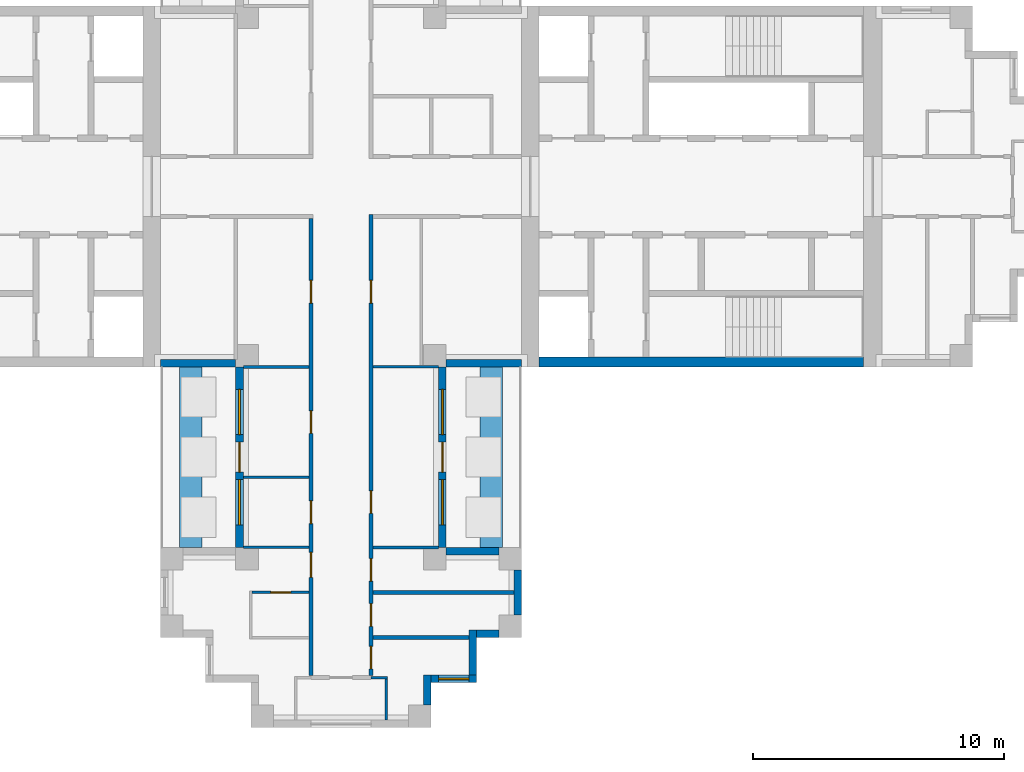
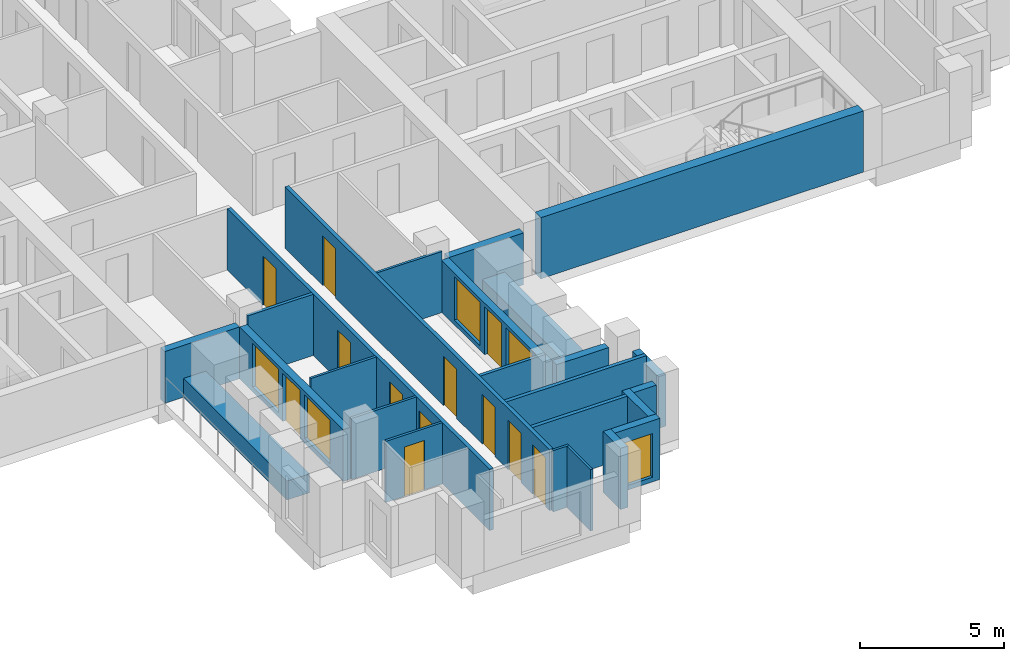
# One storey, part 4 of 10: 25 walls, 12 doors, 5 windows, 17 openings.
"""IFC4 building model written with IfcOpenShell, lengths in metres."""

from ifc_helpers import new_model, si_unit, direction, frame, frame_2d, origin, place, context, subcontext, project, spatial, rectangle, extrude, material, layer, layer_set, type_object, element, fill, save


model = new_model("IFC4")

# Units and contexts
model_context = context("Model", 3, precision=1e-05, world=origin(), true_north=direction((0.0, 1.0)))
body_context = subcontext(model_context, "Body", "Model", "MODEL_VIEW")
ifc_project = project(units=[si_unit("LENGTHUNIT", "METRE"), si_unit("AREAUNIT", "SQUARE_METRE"), si_unit("VOLUMEUNIT", "CUBIC_METRE"), si_unit("PLANEANGLEUNIT", "RADIAN"), si_unit("MASSUNIT", "GRAM", prefix="KILO")], contexts=[model_context])

# Site, building, storey
site_placement = place(None, origin())
site = spatial("IfcSite", under=ifc_project, at=site_placement, CompositionType="ELEMENT")
building_placement = place(site_placement, origin())
building = spatial("IfcBuilding", under=site, at=building_placement, Name="Fustian Cross Tower", CompositionType="ELEMENT")
storey_placement = place(building_placement, frame((0.0, 0.0, 182.699951171875)))
storey = spatial("IfcBuildingStorey", under=building, at=storey_placement, Name="L57", CompositionType="ELEMENT", Elevation=182.699951171875)

# Wall, openings, doors
ifc_material_1 = material(Name="Plasterboard on steel stud", Category="steel")
ifc_layer_1 = layer(ifc_material_1, 0.14990234375)
ifc_layer_set_1 = layer_set([ifc_layer_1], Name="Plasterboard on steel stud")
wall_type_1 = type_object("IfcWallType", Name="COMPARTMENT WALL 150 EI 60", PredefinedType="PARTITIONING", material=ifc_layer_set_1)
wall_1_placement = place(storey_placement, frame((-1.199951171875, -19.52490234375, 0.0), z_axis=(0.0, 0.0, 1.0), x_axis=(0.0, 1.0, 0.0)))
wall_1 = element("IfcWall", 1, at=wall_1_placement, inside=storey, type_object=wall_type_1, Name="Partition 31", PredefinedType="PARTITIONING", context=body_context, shape_type="SweptSolid", body=[
    extrude(rectangle(XDim=18.25, YDim=0.14990234375, at=frame_2d((9.125, 0.0))), origin(), (0.0, 0.0, 1.0), 2.60009765625),
])
opening_1_placement = place(wall_1_placement, frame((14.875, 0.0, 0.0)))
opening_1 = element("IfcOpeningElement", 2, at=opening_1_placement, cuts=wall_1, Name="Opening D26008", PredefinedType="OPENING", context=body_context, shape_type="SweptSolid", body=[
    extrude(rectangle(XDim=0.89990234375, YDim=2.10009765625, at=frame_2d((0.449951171875, 1.050048828125))), frame((0.0, 0.0849609375, 0.0), z_axis=(0.0, -1.0, 0.0), x_axis=(1.0, 0.0, 0.0)), (0.0, 0.0, 1.0), 0.169921875),
])
opening_2_placement = place(wall_1_placement, frame((6.074951171875, 0.0, 0.0)))
opening_2 = element("IfcOpeningElement", 3, at=opening_2_placement, cuts=wall_1, Name="Opening D26043", PredefinedType="OPENING", context=body_context, shape_type="SweptSolid", body=[
    extrude(rectangle(XDim=0.89990234375, YDim=2.10009765625, at=frame_2d((0.449951171875, 1.050048828125))), frame((0.0, 0.0849609375, 0.0), z_axis=(0.0, -1.0, 0.0), x_axis=(1.0, 0.0, 0.0)), (0.0, 0.0, 1.0), 0.169921875),
])
opening_3_placement = place(wall_1_placement, frame((9.675048828125, 0.0, 0.0)))
opening_3 = element("IfcOpeningElement", 4, at=opening_3_placement, cuts=wall_1, Name="Opening D26044", PredefinedType="OPENING", context=body_context, shape_type="SweptSolid", body=[
    extrude(rectangle(XDim=0.89990234375, YDim=2.10009765625, at=frame_2d((0.449951171875, 1.050048828125))), frame((0.0, 0.0849609375, 0.0), z_axis=(0.0, -1.0, 0.0), x_axis=(1.0, 0.0, 0.0)), (0.0, 0.0, 1.0), 0.169921875),
])
opening_4_placement = place(wall_1_placement, frame((3.925048828125, 0.0, 0.0)))
opening_4 = element("IfcOpeningElement", 5, at=opening_4_placement, cuts=wall_1, Name="Opening D26046", PredefinedType="OPENING", context=body_context, shape_type="SweptSolid", body=[
    extrude(rectangle(XDim=1.0, YDim=2.10009765625, at=frame_2d((0.5, 1.050048828125))), frame((0.0, 0.0849609375, 0.0), z_axis=(0.0, -1.0, 0.0), x_axis=(1.0, 0.0, 0.0)), (0.0, 0.0, 1.0), 0.169921875),
])
ifc_material_2 = material(Name="Timber fire door set", Category="wood")
door_type_1 = type_object("IfcDoorType", Name="FIRE SWING DOOR 1000 FD30S", OperationType="SINGLE_SWING_LEFT", PredefinedType="DOOR", material=ifc_material_2)
door_1_placement = place(opening_4_placement, origin())
door_1 = element("IfcDoor", 6, at=door_1_placement, inside=storey, type_object=door_type_1, Name="Door D26046", OperationType="SINGLE_SWING_RIGHT", OverallHeight=2.10009765625, OverallWidth=1.0, PredefinedType="DOOR", context=body_context, shape_type="SweptSolid", body=[
    extrude(rectangle(XDim=1.0, YDim=2.10009765625, at=frame_2d((0.5, 1.050048828125))), frame((0.0, 0.02490234375, 0.0), z_axis=(0.0, -1.0, 0.0), x_axis=(1.0, 0.0, 0.0)), (0.0, 0.0, 1.0), 0.050048828125),
])
fill(opening_4, door_1)
ifc_material_3 = material(Name="Timber fire door set", Category="wood")
door_type_2 = type_object("IfcDoorType", Name="FIRE SWING DOOR 900 FD30S", OperationType="SINGLE_SWING_LEFT", PredefinedType="DOOR", material=ifc_material_3)
door_2_placement = place(opening_1_placement, origin())
door_2 = element("IfcDoor", 7, at=door_2_placement, inside=storey, type_object=door_type_2, Name="Door D26008", OperationType="SINGLE_SWING_LEFT", OverallHeight=2.10009765625, OverallWidth=0.89990234375, PredefinedType="DOOR", context=body_context, shape_type="SweptSolid", body=[
    extrude(rectangle(XDim=0.89990234375, YDim=2.10009765625, at=frame_2d((0.449951171875, 1.050048828125))), frame((0.0, 0.02490234375, 0.0), z_axis=(0.0, -1.0, 0.0), x_axis=(1.0, 0.0, 0.0)), (0.0, 0.0, 1.0), 0.050048828125),
])
fill(opening_1, door_2)
door_3_placement = place(opening_2_placement, origin())
door_3 = element("IfcDoor", 8, at=door_3_placement, inside=storey, type_object=door_type_2, Name="Door D26043", OperationType="SINGLE_SWING_LEFT", OverallHeight=2.10009765625, OverallWidth=0.89990234375, PredefinedType="DOOR", context=body_context, shape_type="SweptSolid", body=[
    extrude(rectangle(XDim=0.89990234375, YDim=2.10009765625, at=frame_2d((0.449951171875, 1.050048828125))), frame((0.0, 0.02490234375, 0.0), z_axis=(0.0, -1.0, 0.0), x_axis=(1.0, 0.0, 0.0)), (0.0, 0.0, 1.0), 0.050048828125),
])
fill(opening_2, door_3)
door_4_placement = place(opening_3_placement, origin())
door_4 = element("IfcDoor", 9, at=door_4_placement, inside=storey, type_object=door_type_2, Name="Door D26044", OperationType="SINGLE_SWING_LEFT", OverallHeight=2.10009765625, OverallWidth=0.89990234375, PredefinedType="DOOR", context=body_context, shape_type="SweptSolid", body=[
    extrude(rectangle(XDim=0.89990234375, YDim=2.10009765625, at=frame_2d((0.449951171875, 1.050048828125))), frame((0.0, 0.02490234375, 0.0), z_axis=(0.0, -1.0, 0.0), x_axis=(1.0, 0.0, 0.0)), (0.0, 0.0, 1.0), 0.050048828125),
])
fill(opening_3, door_4)

wall_2_placement = place(storey_placement, frame((1.199951171875, -19.52490234375, 0.0), z_axis=(0.0, 0.0, 1.0), x_axis=(0.0, 1.0, 0.0)))
wall_2 = element("IfcWall", 10, at=wall_2_placement, inside=storey, type_object=wall_type_1, Name="Partition 35", PredefinedType="PARTITIONING", context=body_context, shape_type="SweptSolid", body=[
    extrude(rectangle(XDim=18.39990234375, YDim=0.14990234375, at=frame_2d((9.199951171875, 0.0))), origin(), (0.0, 0.0, 1.0), 2.60009765625),
])
opening_5_placement = place(wall_2_placement, frame((14.875, 0.0, 0.0)))
opening_5 = element("IfcOpeningElement", 11, at=opening_5_placement, cuts=wall_2, Name="Opening D26006", PredefinedType="OPENING", context=body_context, shape_type="SweptSolid", body=[
    extrude(rectangle(XDim=0.89990234375, YDim=2.10009765625, at=frame_2d((0.449951171875, 1.050048828125))), frame((0.0, 0.0849609375, 0.0), z_axis=(0.0, -1.0, 0.0), x_axis=(1.0, 0.0, 0.0)), (0.0, 0.0, 1.0), 0.169921875),
])
opening_6_placement = place(wall_2_placement, frame((6.47509765625, 0.0, 0.0)))
opening_6 = element("IfcOpeningElement", 12, at=opening_6_placement, cuts=wall_2, Name="Opening D26039", PredefinedType="OPENING", context=body_context, shape_type="SweptSolid", body=[
    extrude(rectangle(XDim=0.89990234375, YDim=2.10009765625, at=frame_2d((0.449951171875, 1.050048828125))), frame((0.0, 0.0849609375, 0.0), z_axis=(0.0, -1.0, 0.0), x_axis=(1.0, 0.0, 0.0)), (0.0, 0.0, 1.0), 0.169921875),
])
opening_7_placement = place(wall_2_placement, frame((3.77490234375, 0.0, 0.0)))
opening_7 = element("IfcOpeningElement", 13, at=opening_7_placement, cuts=wall_2, Name="Opening D26040", PredefinedType="OPENING", context=body_context, shape_type="SweptSolid", body=[
    extrude(rectangle(XDim=0.89990234375, YDim=2.10009765625, at=frame_2d((0.449951171875, 1.050048828125))), frame((0.0, 0.0849609375, 0.0), z_axis=(0.0, -1.0, 0.0), x_axis=(1.0, 0.0, 0.0)), (0.0, 0.0, 1.0), 0.169921875),
])
opening_8_placement = place(wall_2_placement, frame((1.97509765625, 0.0, 0.0)))
opening_8 = element("IfcOpeningElement", 14, at=opening_8_placement, cuts=wall_2, Name="Opening D26041", PredefinedType="OPENING", context=body_context, shape_type="SweptSolid", body=[
    extrude(rectangle(XDim=0.89990234375, YDim=2.10009765625, at=frame_2d((0.449951171875, 1.050048828125))), frame((0.0, 0.0849609375, 0.0), z_axis=(0.0, -1.0, 0.0), x_axis=(1.0, 0.0, 0.0)), (0.0, 0.0, 1.0), 0.169921875),
])
opening_9_placement = place(wall_2_placement, frame((0.27490234375, 0.0, 0.0)))
opening_9 = element("IfcOpeningElement", 15, at=opening_9_placement, cuts=wall_2, Name="Opening D26042", PredefinedType="OPENING", context=body_context, shape_type="SweptSolid", body=[
    extrude(rectangle(XDim=0.89990234375, YDim=2.10009765625, at=frame_2d((0.449951171875, 1.050048828125))), frame((0.0, 0.0849609375, 0.0), z_axis=(0.0, -1.0, 0.0), x_axis=(1.0, 0.0, 0.0)), (0.0, 0.0, 1.0), 0.169921875),
])
door_5_placement = place(opening_5_placement, frame((0.89990234375, 0.0, 0.0), z_axis=(0.0, 0.0, 1.0), x_axis=(-1.0, 0.0, 0.0)))
door_5 = element("IfcDoor", 16, at=door_5_placement, inside=storey, type_object=door_type_2, Name="Door D26006", OperationType="SINGLE_SWING_RIGHT", OverallHeight=2.10009765625, OverallWidth=0.89990234375, PredefinedType="DOOR", context=body_context, shape_type="SweptSolid", body=[
    extrude(rectangle(XDim=0.89990234375, YDim=2.10009765625, at=frame_2d((0.449951171875, 1.050048828125))), frame((0.0, 0.02490234375, 0.0), z_axis=(0.0, -1.0, 0.0), x_axis=(1.0, 0.0, 0.0)), (0.0, 0.0, 1.0), 0.050048828125),
])
fill(opening_5, door_5)
door_6_placement = place(opening_6_placement, frame((0.89990234375, 0.0, 0.0), z_axis=(0.0, 0.0, 1.0), x_axis=(-1.0, 0.0, 0.0)))
door_6 = element("IfcDoor", 17, at=door_6_placement, inside=storey, type_object=door_type_2, Name="Door D26039", OperationType="SINGLE_SWING_RIGHT", OverallHeight=2.10009765625, OverallWidth=0.89990234375, PredefinedType="DOOR", context=body_context, shape_type="SweptSolid", body=[
    extrude(rectangle(XDim=0.89990234375, YDim=2.10009765625, at=frame_2d((0.449951171875, 1.050048828125))), frame((0.0, 0.02490234375, 0.0), z_axis=(0.0, -1.0, 0.0), x_axis=(1.0, 0.0, 0.0)), (0.0, 0.0, 1.0), 0.050048828125),
])
fill(opening_6, door_6)
door_7_placement = place(opening_7_placement, frame((0.89990234375, 0.0, 0.0), z_axis=(0.0, 0.0, 1.0), x_axis=(-1.0, 0.0, 0.0)))
door_7 = element("IfcDoor", 18, at=door_7_placement, inside=storey, type_object=door_type_2, Name="Door D26040", OperationType="SINGLE_SWING_LEFT", OverallHeight=2.10009765625, OverallWidth=0.89990234375, PredefinedType="DOOR", context=body_context, shape_type="SweptSolid", body=[
    extrude(rectangle(XDim=0.89990234375, YDim=2.10009765625, at=frame_2d((0.449951171875, 1.050048828125))), frame((0.0, 0.02490234375, 0.0), z_axis=(0.0, -1.0, 0.0), x_axis=(1.0, 0.0, 0.0)), (0.0, 0.0, 1.0), 0.050048828125),
])
fill(opening_7, door_7)
door_8_placement = place(opening_8_placement, frame((0.89990234375, 0.0, 0.0), z_axis=(0.0, 0.0, 1.0), x_axis=(-1.0, 0.0, 0.0)))
door_8 = element("IfcDoor", 19, at=door_8_placement, inside=storey, type_object=door_type_2, Name="Door D26041", OperationType="SINGLE_SWING_LEFT", OverallHeight=2.10009765625, OverallWidth=0.89990234375, PredefinedType="DOOR", context=body_context, shape_type="SweptSolid", body=[
    extrude(rectangle(XDim=0.89990234375, YDim=2.10009765625, at=frame_2d((0.449951171875, 1.050048828125))), frame((0.0, 0.02490234375, 0.0), z_axis=(0.0, -1.0, 0.0), x_axis=(1.0, 0.0, 0.0)), (0.0, 0.0, 1.0), 0.050048828125),
])
fill(opening_8, door_8)
door_9_placement = place(opening_9_placement, frame((0.89990234375, 0.0, 0.0), z_axis=(0.0, 0.0, 1.0), x_axis=(-1.0, 0.0, 0.0)))
door_9 = element("IfcDoor", 20, at=door_9_placement, inside=storey, type_object=door_type_2, Name="Door D26042", OperationType="SINGLE_SWING_RIGHT", OverallHeight=2.10009765625, OverallWidth=0.89990234375, PredefinedType="DOOR", context=body_context, shape_type="SweptSolid", body=[
    extrude(rectangle(XDim=0.89990234375, YDim=2.10009765625, at=frame_2d((0.449951171875, 1.050048828125))), frame((0.0, 0.02490234375, 0.0), z_axis=(0.0, -1.0, 0.0), x_axis=(1.0, 0.0, 0.0)), (0.0, 0.0, 1.0), 0.050048828125),
])
fill(opening_9, door_9)

# Walls
wall_3_placement = place(storey_placement, frame((1.27490234375, -18.0, 0.0), z_axis=(0.0, 0.0, 1.0), x_axis=(1.0, 0.0, 0.0)))
element("IfcWall", 21, at=wall_3_placement, inside=storey, type_object=wall_type_1, Name="Partition 37", PredefinedType="PARTITIONING", context=body_context, shape_type="SweptSolid", body=[
    extrude(rectangle(XDim=3.8251953125, YDim=0.14990234375, at=frame_2d((1.91259765625, 0.0))), origin(), (0.0, 0.0, 1.0), 2.60009765625),
])
wall_4_placement = place(storey_placement, frame((1.27490234375, -16.199951171875, 0.0), z_axis=(0.0, 0.0, 1.0), x_axis=(1.0, 0.0, 0.0)))
element("IfcWall", 22, at=wall_4_placement, inside=storey, type_object=wall_type_1, Name="Partition 38", PredefinedType="PARTITIONING", context=body_context, shape_type="SweptSolid", body=[
    extrude(rectangle(XDim=5.625, YDim=0.14990234375, at=frame_2d((2.8125, 0.0))), origin(), (0.0, 0.0, 1.0), 2.60009765625),
])
ifc_material_4 = material(Name="Concrete C50/60", Category="concrete")
ifc_layer_2 = layer(ifc_material_4, 0.39990234375)
ifc_layer_set_2 = layer_set([ifc_layer_2], Name="Concrete C50/60")
wall_type_2 = type_object("IfcWallType", Name="CORE FACADE WALL 400 C50/60", PredefinedType="SHEAR", material=ifc_layer_set_2)
wall_5_placement = place(storey_placement, frame((7.89990234375, -7.0, 0.0), z_axis=(0.0, 0.0, 1.0), x_axis=(1.0, 0.0, 0.0)))
element("IfcWall", 23, at=wall_5_placement, inside=storey, type_object=wall_type_2, Name="Core facade wall", PredefinedType="SHEAR", context=body_context, shape_type="SweptSolid", body=[
    extrude(rectangle(XDim=12.9501953125, YDim=0.39990234375, at=frame_2d((6.47509765625, 0.0))), origin(), (0.0, 0.0, 1.0), 2.60009765625),
])
ifc_material_5 = material(Name="Plasterboard on steel stud", Category="steel")
ifc_layer_3 = layer(ifc_material_5, 0.10009765625)
ifc_layer_set_3 = layer_set([ifc_layer_3], Name="Plasterboard on steel stud")
wall_type_3 = type_object("IfcWallType", Name="PARTITION 100 STUD", PredefinedType="PARTITIONING", material=ifc_layer_set_3)
for number, where, z_axis, x_axis, name in (
    (24, (-3.89990234375, -14.39990234375, 0.0), (0.0, 0.0, 1.0), (1.0, 0.0, 0.0), "Partition 18"),
    (25, (-3.89990234375, -11.60009765625, 0.0), (0.0, 0.0, 1.0), (1.0, 0.0, 0.0), "Partition 19"),
):
    element("IfcWall", number, at=place(storey_placement, frame(where, z_axis=z_axis, x_axis=x_axis)), inside=storey, type_object=wall_type_3, Name=name, PredefinedType="PARTITIONING", context=body_context, shape_type="SweptSolid", body=[
        extrude(rectangle(XDim=2.625, YDim=0.10009765625, at=frame_2d((1.3125, 0.0))), origin(), (0.0, 0.0, 1.0), 2.60009765625),
    ])

# Wall, opening, door
wall_6_placement = place(storey_placement, frame((-3.550048828125, -16.199951171875, 0.0), z_axis=(0.0, 0.0, 1.0), x_axis=(1.0, 0.0, 0.0)))
wall_6 = element("IfcWall", 26, at=wall_6_placement, inside=storey, type_object=wall_type_3, Name="Partition 26", PredefinedType="PARTITIONING", context=body_context, shape_type="SweptSolid", body=[
    extrude(rectangle(XDim=2.275146484375, YDim=0.10009765625, at=frame_2d((1.1376953125, 0.0))), origin(), (0.0, 0.0, 1.0), 2.60009765625),
])
opening_10_placement = place(wall_6_placement, frame((0.75, 0.0, 0.0)))
opening_10 = element("IfcOpeningElement", 27, at=opening_10_placement, cuts=wall_6, Name="Opening D26045", PredefinedType="OPENING", context=body_context, shape_type="SweptSolid", body=[
    extrude(rectangle(XDim=0.800048828125, YDim=2.10009765625, at=frame_2d((0.39990234375, 1.050048828125))), frame((0.0, 0.06005859375, 0.0), z_axis=(0.0, -1.0, 0.0), x_axis=(1.0, 0.0, 0.0)), (0.0, 0.0, 1.0), 0.1201171875),
])
ifc_material_6 = material(Name="Painted timber", Category="wood")
door_type_3 = type_object("IfcDoorType", Name="SWING DOOR 800", OperationType="SINGLE_SWING_LEFT", PredefinedType="DOOR", material=ifc_material_6)
door_10_placement = place(opening_10_placement, frame((0.800048828125, 0.0, 0.0), z_axis=(0.0, 0.0, 1.0), x_axis=(-1.0, 0.0, 0.0)))
door_10 = element("IfcDoor", 28, at=door_10_placement, inside=storey, type_object=door_type_3, Name="Door D26045", OperationType="SINGLE_SWING_RIGHT", OverallHeight=2.10009765625, OverallWidth=0.800048828125, PredefinedType="DOOR", context=body_context, shape_type="SweptSolid", body=[
    extrude(rectangle(XDim=0.800048828125, YDim=2.10009765625, at=frame_2d((0.39990234375, 1.050048828125))), frame((0.0, 0.02490234375, 0.0), z_axis=(0.0, -1.0, 0.0), x_axis=(1.0, 0.0, 0.0)), (0.0, 0.0, 1.0), 0.050048828125),
])
fill(opening_10, door_10)

# Walls
wall_7_placement = place(storey_placement, frame((1.199951171875, -19.60009765625, 0.0), z_axis=(0.0, 0.0, 1.0), x_axis=(1.0, 0.0, 0.0)))
element("IfcWall", 29, at=wall_7_placement, inside=storey, type_object=wall_type_3, Name="Partition 36", PredefinedType="PARTITIONING", context=body_context, shape_type="SweptSolid", body=[
    extrude(rectangle(XDim=0.650146484375, YDim=0.10009765625, at=frame_2d((0.3251953125, 0.0))), origin(), (0.0, 0.0, 1.0), 2.60009765625),
])
wall_8_placement = place(storey_placement, frame((1.27490234375, -7.199951171875, 0.0), z_axis=(0.0, 0.0, 1.0), x_axis=(1.0, 0.0, 0.0)))
element("IfcWall", 30, at=wall_8_placement, inside=storey, type_object=wall_type_3, Name="Partition 40", PredefinedType="PARTITIONING", context=body_context, shape_type="SweptSolid", body=[
    extrude(rectangle(XDim=2.625, YDim=0.10009765625, at=frame_2d((1.3125, 0.0))), origin(), (0.0, 0.0, 1.0), 2.60009765625),
])
wall_9_placement = place(storey_placement, frame((1.800048828125, -21.300048828125, 0.0), z_axis=(0.0, 0.0, 1.0), x_axis=(0.0, 1.0, 0.0)))
element("IfcWall", 31, at=wall_9_placement, inside=storey, type_object=wall_type_3, Name="Partition 51", PredefinedType="PARTITIONING", context=body_context, shape_type="SweptSolid", body=[
    extrude(rectangle(XDim=1.650146484375, YDim=0.10009765625, at=frame_2d((0.8251953125, 0.0))), origin(), (0.0, 0.0, 1.0), 2.60009765625),
])
ifc_material_7 = material(Name="Concrete C40/50", Category="concrete")
ifc_layer_4 = layer(ifc_material_7, 0.89990234375)
ifc_layer_set_4 = layer_set([ifc_layer_4], Name="Concrete C40/50")
wall_type_4 = type_object("IfcWallType", Name="PK1 PLANTER 900", PredefinedType="PARAPET", material=ifc_layer_set_4)
for number, where, z_axis, x_axis, name in (
    (32, (6.0, -14.39990234375, 0.0), (0.0, 0.0, 1.0), (0.0, 1.0, 0.0), "PLANTER"),
    (33, (-6.0, -14.39990234375, 0.0), (0.0, 0.0, 1.0), (0.0, 1.0, 0.0), "PLANTER"),
):
    element("IfcWall", number, at=place(storey_placement, frame(where, z_axis=z_axis, x_axis=x_axis)), inside=storey, type_object=wall_type_4, Name=name, PredefinedType="PARAPET", context=body_context, shape_type="SweptSolid", body=[
        extrude(rectangle(XDim=7.199951171875, YDim=0.89990234375, at=frame_2d((3.60009765625, 0.0))), origin(), (0.0, 0.0, 1.0), 0.800048828125),
    ])
ifc_material_8 = material(Name="Plasterboard on steel stud", Category="steel")
ifc_layer_5 = layer(ifc_material_8, 0.125)
ifc_layer_set_5 = layer_set([ifc_layer_5], Name="Plasterboard on steel stud")
wall_type_5 = type_object("IfcWallType", Name="WET WALL 125 STUD", PredefinedType="PARTITIONING", material=ifc_layer_set_5)
for number, where, z_axis, x_axis, name in (
    (34, (-3.89990234375, -7.199951171875, 0.0), (0.0, 0.0, 1.0), (1.0, 0.0, 0.0), "Partition 20"),
    (35, (1.27490234375, -14.39990234375, 0.0), (0.0, 0.0, 1.0), (1.0, 0.0, 0.0), "Partition 39"),
):
    element("IfcWall", number, at=place(storey_placement, frame(where, z_axis=z_axis, x_axis=x_axis)), inside=storey, type_object=wall_type_5, Name=name, PredefinedType="PARTITIONING", context=body_context, shape_type="SweptSolid", body=[
        extrude(rectangle(XDim=2.625, YDim=0.125, at=frame_2d((1.3125, 0.0))), origin(), (0.0, 0.0, 1.0), 2.60009765625),
    ])
ifc_material_9 = material(Name="Dark aluminium cladding on insulated backing wall", Category="aluminium")
ifc_layer_6 = layer(ifc_material_9, 0.300048828125)
ifc_layer_set_6 = layer_set([ifc_layer_6], Name="Dark aluminium cladding on insulated backing wall")
wall_type_6 = type_object("IfcWallType", Name="XW1 EXTERNAL WALL 300", PredefinedType="SOLIDWALL", material=ifc_layer_set_6)
wall_10_placement = place(storey_placement, frame((-7.199951171875, -7.050048828125, 0.0), z_axis=(0.0, 0.0, 1.0), x_axis=(1.0, 0.0, 0.0)))
element("IfcWall", 36, at=wall_10_placement, inside=storey, type_object=wall_type_6, Name="External wall", PredefinedType="SOLIDWALL", context=body_context, shape_type="SweptSolid", body=[
    extrude(rectangle(XDim=3.0, YDim=0.300048828125, at=frame_2d((1.5, 0.0))), origin(), (0.0, 0.0, 1.0), 2.199951171875),
])

# Wall, openings, door, windows
wall_11_placement = place(storey_placement, frame((-4.050048828125, -7.199951171875, 0.0), z_axis=(0.0, 0.0, 1.0), x_axis=(0.0, -1.0, 0.0)))
wall_11 = element("IfcWall", 37, at=wall_11_placement, inside=storey, type_object=wall_type_6, Name="External wall", PredefinedType="SOLIDWALL", context=body_context, shape_type="SweptSolid", body=[
    extrude(rectangle(XDim=7.199951171875, YDim=0.300048828125, at=frame_2d((3.60009765625, 0.0))), origin(), (0.0, 0.0, 1.0), 2.199951171875),
])
opening_11_placement = place(wall_11_placement, frame((3.0, 0.0, 0.0)))
opening_11 = element("IfcOpeningElement", 38, at=opening_11_placement, cuts=wall_11, Name="Opening XD4", PredefinedType="OPENING", context=body_context, shape_type="SweptSolid", body=[
    extrude(rectangle(XDim=1.199951171875, YDim=2.050048828125, at=frame_2d((0.60009765625, 1.02490234375))), frame((0.0, 0.159912109375, 0.0), z_axis=(0.0, -1.0, 0.0), x_axis=(1.0, 0.0, 0.0)), (0.0, 0.0, 1.0), 0.320068359375),
])
opening_12_placement = place(wall_11_placement, frame((0.89990234375, 0.0, 0.199951171875)))
opening_12 = element("IfcOpeningElement", 39, at=opening_12_placement, cuts=wall_11, Name="Opening WN2", PredefinedType="OPENING", context=body_context, shape_type="SweptSolid", body=[
    extrude(rectangle(XDim=1.800048828125, YDim=1.85009765625, at=frame_2d((0.89990234375, 0.925048828125))), frame((0.0, 0.159912109375, 0.0), z_axis=(0.0, -1.0, 0.0), x_axis=(1.0, 0.0, 0.0)), (0.0, 0.0, 1.0), 0.320068359375),
])
opening_13_placement = place(wall_11_placement, frame((4.5, 0.0, 0.199951171875)))
opening_13 = element("IfcOpeningElement", 40, at=opening_13_placement, cuts=wall_11, Name="Opening WN2", PredefinedType="OPENING", context=body_context, shape_type="SweptSolid", body=[
    extrude(rectangle(XDim=1.800048828125, YDim=1.85009765625, at=frame_2d((0.89990234375, 0.925048828125))), frame((0.0, 0.159912109375, 0.0), z_axis=(0.0, -1.0, 0.0), x_axis=(1.0, 0.0, 0.0)), (0.0, 0.0, 1.0), 0.320068359375),
])
ifc_material_10 = material(Name="Dark anodised aluminium and double glazing", Category="aluminium")
door_type_4 = type_object("IfcDoorType", Name="ED1 BALCONY DOOR 1200X2050", OperationType="SINGLE_SWING_LEFT", PredefinedType="DOOR", material=ifc_material_10)
door_11_placement = place(opening_11_placement, origin())
door_11 = element("IfcDoor", 41, at=door_11_placement, inside=storey, type_object=door_type_4, Name="Balcony door", OperationType="SINGLE_SWING_LEFT", OverallHeight=2.050048828125, OverallWidth=1.199951171875, PredefinedType="DOOR", context=body_context, shape_type="SweptSolid", body=[
    extrude(rectangle(XDim=1.199951171875, YDim=2.050048828125, at=frame_2d((0.60009765625, 1.02490234375))), frame((0.0, 0.02490234375, 0.0), z_axis=(0.0, -1.0, 0.0), x_axis=(1.0, 0.0, 0.0)), (0.0, 0.0, 1.0), 0.050048828125),
])
fill(opening_11, door_11)
ifc_material_11 = material(Name="Dark anodised aluminium and double glazing", Category="aluminium")
window_type_1 = type_object("IfcWindowType", Name="WN2 WINDOW 1800X1850", PartitioningType="SINGLE_PANEL", PredefinedType="WINDOW", material=ifc_material_11)
window_1_placement = place(opening_12_placement, origin())
window_1 = element("IfcWindow", 42, at=window_1_placement, inside=storey, type_object=window_type_1, Name="Window", OverallHeight=1.85009765625, OverallWidth=1.800048828125, PartitioningType="SINGLE_PANEL", PredefinedType="WINDOW", context=body_context, shape_type="SweptSolid", body=[
    extrude(rectangle(XDim=1.800048828125, YDim=1.85009765625, at=frame_2d((0.89990234375, 0.925048828125))), frame((0.0, 0.030029296875, 0.0), z_axis=(0.0, -1.0, 0.0), x_axis=(1.0, 0.0, 0.0)), (0.0, 0.0, 1.0), 0.06005859375),
])
fill(opening_12, window_1)
window_2_placement = place(opening_13_placement, origin())
window_2 = element("IfcWindow", 43, at=window_2_placement, inside=storey, type_object=window_type_1, Name="Window", OverallHeight=1.85009765625, OverallWidth=1.800048828125, PartitioningType="SINGLE_PANEL", PredefinedType="WINDOW", context=body_context, shape_type="SweptSolid", body=[
    extrude(rectangle(XDim=1.800048828125, YDim=1.85009765625, at=frame_2d((0.89990234375, 0.925048828125))), frame((0.0, 0.030029296875, 0.0), z_axis=(0.0, -1.0, 0.0), x_axis=(1.0, 0.0, 0.0)), (0.0, 0.0, 1.0), 0.06005859375),
])
fill(opening_13, window_2)

# Wall
wall_12_placement = place(storey_placement, frame((3.449951171875, -20.699951171875, 0.0), z_axis=(0.0, 0.0, 1.0), x_axis=(0.0, 1.0, 0.0)))
element("IfcWall", 44, at=wall_12_placement, inside=storey, type_object=wall_type_6, Name="External wall", PredefinedType="SOLIDWALL", context=body_context, shape_type="SweptSolid", body=[
    extrude(rectangle(XDim=1.199951171875, YDim=0.300048828125, at=frame_2d((0.60009765625, 0.0))), origin(), (0.0, 0.0, 1.0), 2.60009765625),
])

# Wall, opening, window
wall_13_placement = place(storey_placement, frame((3.60009765625, -19.64990234375, 0.0), z_axis=(0.0, 0.0, 1.0), x_axis=(1.0, 0.0, 0.0)))
wall_13 = element("IfcWall", 45, at=wall_13_placement, inside=storey, type_object=wall_type_6, Name="External wall", PredefinedType="SOLIDWALL", context=body_context, shape_type="SweptSolid", body=[
    extrude(rectangle(XDim=1.7998046875, YDim=0.300048828125, at=frame_2d((0.89990234375, 0.0))), origin(), (0.0, 0.0, 1.0), 2.60009765625),
])
opening_14_placement = place(wall_13_placement, frame((0.300048828125, 0.0, 0.199951171875)))
opening_14 = element("IfcOpeningElement", 46, at=opening_14_placement, cuts=wall_13, Name="Opening WN3", PredefinedType="OPENING", context=body_context, shape_type="SweptSolid", body=[
    extrude(rectangle(XDim=1.199951171875, YDim=1.85009765625, at=frame_2d((0.60009765625, 0.925048828125))), frame((0.0, 0.159912109375, 0.0), z_axis=(0.0, -1.0, 0.0), x_axis=(1.0, 0.0, 0.0)), (0.0, 0.0, 1.0), 0.320068359375),
])
ifc_material_12 = material(Name="Dark anodised aluminium and double glazing", Category="aluminium")
window_type_2 = type_object("IfcWindowType", Name="WN3 WINDOW 1200X1850", PartitioningType="SINGLE_PANEL", PredefinedType="WINDOW", material=ifc_material_12)
window_3_placement = place(opening_14_placement, origin())
window_3 = element("IfcWindow", 47, at=window_3_placement, inside=storey, type_object=window_type_2, Name="Window", OverallHeight=1.85009765625, OverallWidth=1.199951171875, PartitioningType="SINGLE_PANEL", PredefinedType="WINDOW", context=body_context, shape_type="SweptSolid", body=[
    extrude(rectangle(XDim=1.199951171875, YDim=1.85009765625, at=frame_2d((0.60009765625, 0.925048828125))), frame((0.0, 0.030029296875, 0.0), z_axis=(0.0, -1.0, 0.0), x_axis=(1.0, 0.0, 0.0)), (0.0, 0.0, 1.0), 0.06005859375),
])
fill(opening_14, window_3)

# Walls
wall_14_placement = place(storey_placement, frame((5.25, -19.5, 0.0), z_axis=(0.0, 0.0, 1.0), x_axis=(0.0, 1.0, 0.0)))
element("IfcWall", 48, at=wall_14_placement, inside=storey, type_object=wall_type_6, Name="External wall", PredefinedType="SOLIDWALL", context=body_context, shape_type="SweptSolid", body=[
    extrude(rectangle(XDim=1.800048828125, YDim=0.300048828125, at=frame_2d((0.89990234375, 0.0))), origin(), (0.0, 0.0, 1.0), 2.60009765625),
])
wall_15_placement = place(storey_placement, frame((5.39990234375, -17.85009765625, 0.0), z_axis=(0.0, 0.0, 1.0), x_axis=(1.0, 0.0, 0.0)))
element("IfcWall", 49, at=wall_15_placement, inside=storey, type_object=wall_type_6, Name="External wall", PredefinedType="SOLIDWALL", context=body_context, shape_type="SweptSolid", body=[
    extrude(rectangle(XDim=0.900146484375, YDim=0.300048828125, at=frame_2d((0.4501953125, 0.0))), origin(), (0.0, 0.0, 1.0), 2.60009765625),
])
wall_16_placement = place(storey_placement, frame((7.050048828125, -17.10009765625, 0.0), z_axis=(0.0, 0.0, 1.0), x_axis=(0.0, 1.0, 0.0)))
element("IfcWall", 50, at=wall_16_placement, inside=storey, type_object=wall_type_6, Name="External wall", PredefinedType="SOLIDWALL", context=body_context, shape_type="SweptSolid", body=[
    extrude(rectangle(XDim=1.800048828125, YDim=0.300048828125, at=frame_2d((0.89990234375, 0.0))), origin(), (0.0, 0.0, 1.0), 2.199951171875),
])
wall_17_placement = place(storey_placement, frame((6.300048828125, -14.550048828125, 0.0), z_axis=(0.0, 0.0, 1.0), x_axis=(-1.0, 0.0, 0.0)))
element("IfcWall", 51, at=wall_17_placement, inside=storey, type_object=wall_type_6, Name="External wall", PredefinedType="SOLIDWALL", context=body_context, shape_type="SweptSolid", body=[
    extrude(rectangle(XDim=2.10009765625, YDim=0.300048828125, at=frame_2d((1.050048828125, 0.0))), origin(), (0.0, 0.0, 1.0), 2.199951171875),
])

# Wall, openings, door, windows
wall_18_placement = place(storey_placement, frame((4.050048828125, -14.39990234375, 0.0), z_axis=(0.0, 0.0, 1.0), x_axis=(0.0, 1.0, 0.0)))
wall_18 = element("IfcWall", 52, at=wall_18_placement, inside=storey, type_object=wall_type_6, Name="External wall", PredefinedType="SOLIDWALL", context=body_context, shape_type="SweptSolid", body=[
    extrude(rectangle(XDim=7.199951171875, YDim=0.300048828125, at=frame_2d((3.60009765625, 0.0))), origin(), (0.0, 0.0, 1.0), 2.199951171875),
])
opening_15_placement = place(wall_18_placement, frame((3.0, 0.0, 0.0)))
opening_15 = element("IfcOpeningElement", 53, at=opening_15_placement, cuts=wall_18, Name="Opening XD3", PredefinedType="OPENING", context=body_context, shape_type="SweptSolid", body=[
    extrude(rectangle(XDim=1.199951171875, YDim=2.050048828125, at=frame_2d((0.60009765625, 1.02490234375))), frame((0.0, 0.159912109375, 0.0), z_axis=(0.0, -1.0, 0.0), x_axis=(1.0, 0.0, 0.0)), (0.0, 0.0, 1.0), 0.320068359375),
])
opening_16_placement = place(wall_18_placement, frame((0.89990234375, 0.0, 0.199951171875)))
opening_16 = element("IfcOpeningElement", 54, at=opening_16_placement, cuts=wall_18, Name="Opening WN2", PredefinedType="OPENING", context=body_context, shape_type="SweptSolid", body=[
    extrude(rectangle(XDim=1.800048828125, YDim=1.85009765625, at=frame_2d((0.89990234375, 0.925048828125))), frame((0.0, 0.159912109375, 0.0), z_axis=(0.0, -1.0, 0.0), x_axis=(1.0, 0.0, 0.0)), (0.0, 0.0, 1.0), 0.320068359375),
])
opening_17_placement = place(wall_18_placement, frame((4.5, 0.0, 0.199951171875)))
opening_17 = element("IfcOpeningElement", 55, at=opening_17_placement, cuts=wall_18, Name="Opening WN2", PredefinedType="OPENING", context=body_context, shape_type="SweptSolid", body=[
    extrude(rectangle(XDim=1.800048828125, YDim=1.85009765625, at=frame_2d((0.89990234375, 0.925048828125))), frame((0.0, 0.159912109375, 0.0), z_axis=(0.0, -1.0, 0.0), x_axis=(1.0, 0.0, 0.0)), (0.0, 0.0, 1.0), 0.320068359375),
])
door_12_placement = place(opening_15_placement, origin())
door_12 = element("IfcDoor", 56, at=door_12_placement, inside=storey, type_object=door_type_4, Name="Balcony door", OperationType="SINGLE_SWING_LEFT", OverallHeight=2.050048828125, OverallWidth=1.199951171875, PredefinedType="DOOR", context=body_context, shape_type="SweptSolid", body=[
    extrude(rectangle(XDim=1.199951171875, YDim=2.050048828125, at=frame_2d((0.60009765625, 1.02490234375))), frame((0.0, 0.02490234375, 0.0), z_axis=(0.0, -1.0, 0.0), x_axis=(1.0, 0.0, 0.0)), (0.0, 0.0, 1.0), 0.050048828125),
])
fill(opening_15, door_12)
window_4_placement = place(opening_16_placement, origin())
window_4 = element("IfcWindow", 57, at=window_4_placement, inside=storey, type_object=window_type_1, Name="Window", OverallHeight=1.85009765625, OverallWidth=1.800048828125, PartitioningType="SINGLE_PANEL", PredefinedType="WINDOW", context=body_context, shape_type="SweptSolid", body=[
    extrude(rectangle(XDim=1.800048828125, YDim=1.85009765625, at=frame_2d((0.89990234375, 0.925048828125))), frame((0.0, 0.030029296875, 0.0), z_axis=(0.0, -1.0, 0.0), x_axis=(1.0, 0.0, 0.0)), (0.0, 0.0, 1.0), 0.06005859375),
])
fill(opening_16, window_4)
window_5_placement = place(opening_17_placement, origin())
window_5 = element("IfcWindow", 58, at=window_5_placement, inside=storey, type_object=window_type_1, Name="Window", OverallHeight=1.85009765625, OverallWidth=1.800048828125, PartitioningType="SINGLE_PANEL", PredefinedType="WINDOW", context=body_context, shape_type="SweptSolid", body=[
    extrude(rectangle(XDim=1.800048828125, YDim=1.85009765625, at=frame_2d((0.89990234375, 0.925048828125))), frame((0.0, 0.030029296875, 0.0), z_axis=(0.0, -1.0, 0.0), x_axis=(1.0, 0.0, 0.0)), (0.0, 0.0, 1.0), 0.06005859375),
])
fill(opening_17, window_5)

# Wall
wall_19_placement = place(storey_placement, frame((4.199951171875, -7.050048828125, 0.0), z_axis=(0.0, 0.0, 1.0), x_axis=(1.0, 0.0, 0.0)))
element("IfcWall", 59, at=wall_19_placement, inside=storey, type_object=wall_type_6, Name="External wall", PredefinedType="SOLIDWALL", context=body_context, shape_type="SweptSolid", body=[
    extrude(rectangle(XDim=3.0, YDim=0.300048828125, at=frame_2d((1.5, 0.0))), origin(), (0.0, 0.0, 1.0), 2.199951171875),
])

save(model, "model.ifc")
